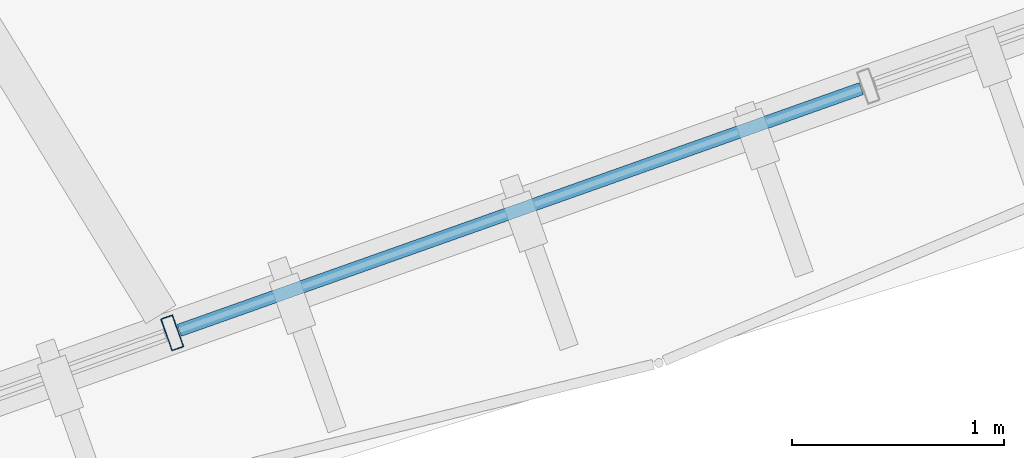
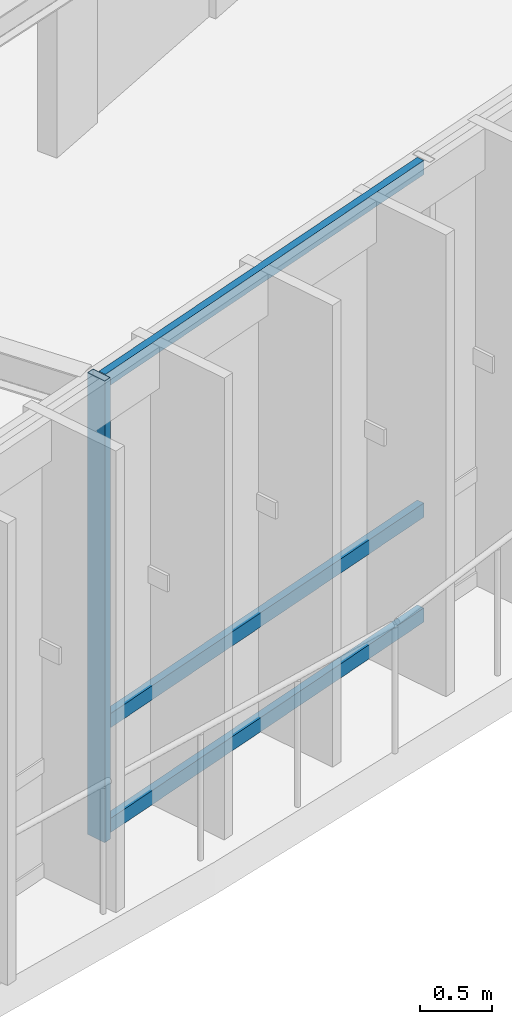
# One storey, part 44 of 78: 4 members, 1 element without a shape of its own.
"""IFC4 building model written with IfcOpenShell, lengths in metres."""

from ifc_helpers import new_model, si_unit, direction, frame, origin, origin_2d, place, context, subcontext, project, spatial, hollow_rectangle, extrude, material, material_profile, profile_set, type_object, element, aggregate, save


model = new_model("IFC4")

# Units and contexts
model_context = context("Model", 3, precision=1e-05, world=origin(), true_north=direction((0.0, 1.0)))
body_context = subcontext(model_context, "Body", "Model", "MODEL_VIEW")
ifc_project = project(units=[si_unit("LENGTHUNIT", "METRE"), si_unit("AREAUNIT", "SQUARE_METRE"), si_unit("VOLUMEUNIT", "CUBIC_METRE"), si_unit("PLANEANGLEUNIT", "RADIAN"), si_unit("MASSUNIT", "GRAM", prefix="KILO"), si_unit("THERMODYNAMICTEMPERATUREUNIT", "KELVIN"), si_unit("POWERUNIT", "WATT")], contexts=[model_context])

# Site, building, storey
site_placement = place(None, origin())
site = spatial("IfcSite", under=ifc_project, at=site_placement, CompositionType="ELEMENT")
building_placement = place(site_placement, origin())
building = spatial("IfcBuilding", under=site, at=building_placement, Name="Darbajah Civic Hall", CompositionType="ELEMENT")
storey_placement = place(building_placement, frame((0.0, 0.0, 26.39990234375)))
storey = spatial("IfcBuildingStorey", under=building, at=storey_placement, Name="L06", CompositionType="ELEMENT", Elevation=26.39990234375)

# Curtain wall, members
ifc_material_1 = material(Name="Anodised Bronze Aluminium and Low-E Glazing", Category="aluminium")
curtain_wall_type = type_object("IfcCurtainWallType", Name="Unitised Curtain Wall CW-85 13900x3900", PredefinedType="USERDEFINED", material=ifc_material_1)
curtain_wall_placement = place(storey_placement, origin())
curtain_wall = element("IfcCurtainWall", 1, at=curtain_wall_placement, inside=storey, type_object=curtain_wall_type, Name="L06 unitised curtain wall CW-V1O-L06-16", ObjectType="UNITISED CURTAIN WALL", PredefinedType="USERDEFINED")
ifc_material_2 = material(Name="Anodised Bronze Aluminium", Category="aluminium")
ifc_material_profile_1 = material_profile(ifc_material_2, hollow_rectangle(XDim=0.06005859375, YDim=0.159912109375, WallThickness=0.00341796875, at=origin_2d()), Name="ALU MULLION 60x160")
ifc_profile_set_1 = profile_set([ifc_material_profile_1], Name="Anodised Bronze Aluminium")
member_type_1 = type_object("IfcMemberType", Name="ALU MULLION 60x160", PredefinedType="MULLION", material=ifc_profile_set_1)
member_1_placement = place(storey_placement, frame((115.41943359375, 64.956787109375, 0.0), z_axis=(0.0, 0.0, 1.0), x_axis=(0.94252491309, 0.334135882844, 0.0)))
member_1 = element("IfcMember", 2, at=member_1_placement, type_object=member_type_1, Name="CW-V1O-L06-16 mullion 3", PredefinedType="MULLION", context=body_context, shape_type="SweptSolid", body=[
    extrude(hollow_rectangle(XDim=0.06005859375, YDim=0.159912109375, WallThickness=0.00341796875, at=origin_2d()), origin(), (0.0, 0.0, 1.0), 3.920166015625),
])
ifc_material_profile_2 = material_profile(ifc_material_2, hollow_rectangle(XDim=0.06005859375, YDim=0.1201171875, WallThickness=0.003173828125, at=origin_2d()), Name="ALU TRANSOM 60x120")
ifc_profile_set_2 = profile_set([ifc_material_profile_2], Name="Anodised Bronze Aluminium")
member_type_2 = type_object("IfcMemberType", Name="ALU TRANSOM 60x120", PredefinedType="USERDEFINED", material=ifc_profile_set_2)
member_2_placement = place(storey_placement, frame((115.452392578125, 64.968505859375, 0.06005859375), z_axis=(0.942540423743, 0.334092127429, 0.0), x_axis=(-0.334092127429, 0.942540423743, 0.0)))
member_2 = element("IfcMember", 3, at=member_2_placement, type_object=member_type_2, Name="CW-V1O-L06-16 transom 3.1", ObjectType="TRANSOM", PredefinedType="USERDEFINED", context=body_context, shape_type="SweptSolid", body=[
    extrude(hollow_rectangle(XDim=0.06005859375, YDim=0.1201171875, WallThickness=0.003173828125, at=origin_2d()), origin(), (0.0, 0.0, 1.0), 3.41259765625),
])
member_3_placement = place(storey_placement, frame((115.452392578125, 64.968505859375, 0.9501953125), z_axis=(0.942540423743, 0.334092127429, 0.0), x_axis=(-0.334092127429, 0.942540423743, 0.0)))
member_3 = element("IfcMember", 4, at=member_3_placement, type_object=member_type_2, Name="CW-V1O-L06-16 transom 3.2", ObjectType="TRANSOM", PredefinedType="USERDEFINED", context=body_context, shape_type="SweptSolid", body=[
    extrude(hollow_rectangle(XDim=0.06005859375, YDim=0.1201171875, WallThickness=0.003173828125, at=origin_2d()), origin(), (0.0, 0.0, 1.0), 3.41259765625),
])
member_4_placement = place(storey_placement, frame((115.452392578125, 64.968505859375, 3.860107421875), z_axis=(0.942540423743, 0.334092127429, 0.0), x_axis=(-0.334092127429, 0.942540423743, 0.0)))
member_4 = element("IfcMember", 5, at=member_4_placement, type_object=member_type_2, Name="CW-V1O-L06-16 transom 3.3", ObjectType="TRANSOM", PredefinedType="USERDEFINED", context=body_context, shape_type="SweptSolid", body=[
    extrude(hollow_rectangle(XDim=0.06005859375, YDim=0.1201171875, WallThickness=0.003173828125, at=origin_2d()), origin(), (0.0, 0.0, 1.0), 3.41259765625),
])
aggregate(curtain_wall, [member_1, member_2, member_3, member_4])

save(model, "model.ifc")
